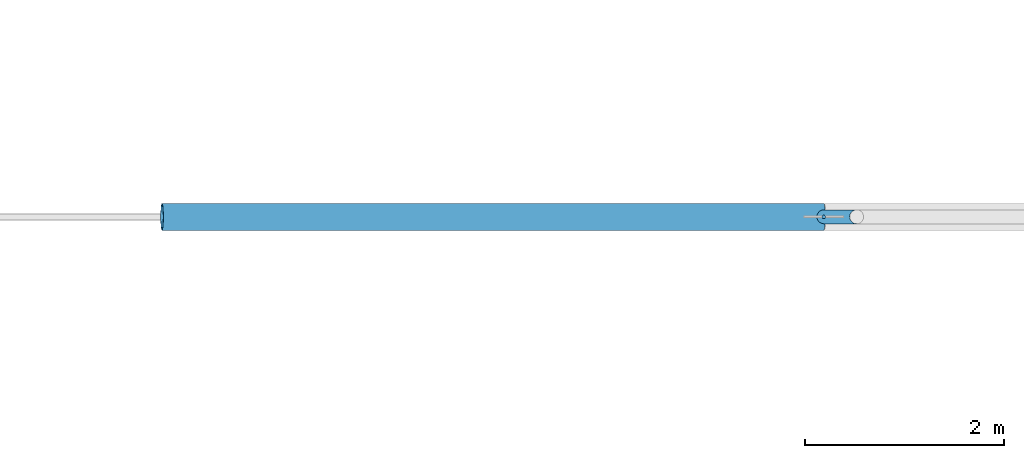
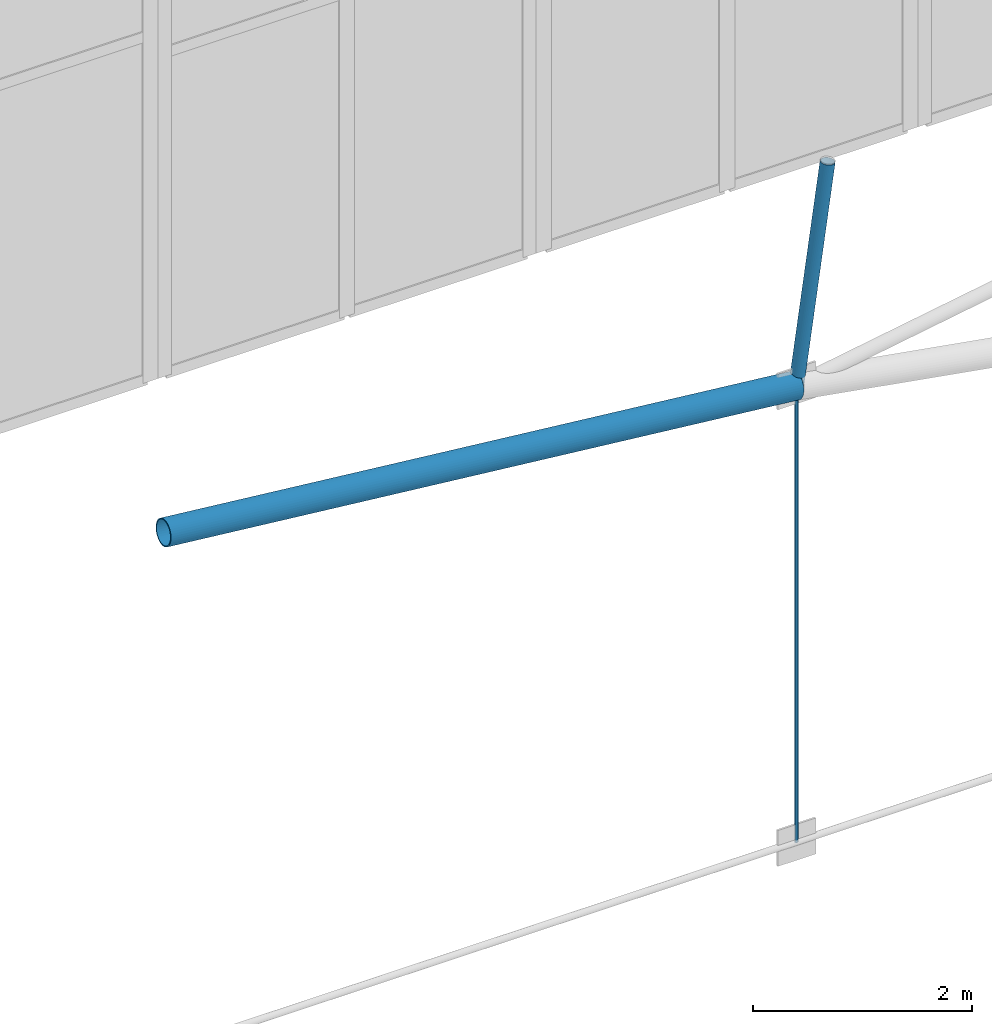
# One storey, part 192 of 321: 3 members.
"""IFC4 building model written with IfcOpenShell, lengths in metres."""

from ifc_helpers import new_model, si_unit, direction, frame, origin, origin_2d, place, context, subcontext, project, spatial, circle, hollow_circle, extrude, material, material_profile, profile_set, type_object, element, save


model = new_model("IFC4")

# Units and contexts
model_context = context("Model", 3, precision=1e-05, world=origin(), true_north=direction((0.0, 1.0)))
body_context = subcontext(model_context, "Body", "Model", "MODEL_VIEW")
ifc_project = project(units=[si_unit("LENGTHUNIT", "METRE"), si_unit("AREAUNIT", "SQUARE_METRE"), si_unit("VOLUMEUNIT", "CUBIC_METRE"), si_unit("PLANEANGLEUNIT", "RADIAN"), si_unit("MASSUNIT", "GRAM", prefix="KILO")], contexts=[model_context])

# Site, building, storey
site_placement = place(None, origin())
site = spatial("IfcSite", under=ifc_project, at=site_placement, CompositionType="ELEMENT")
building_placement = place(site_placement, origin())
building = spatial("IfcBuilding", under=site, at=building_placement, Name="Ravi Spectrum Wholesale Market", CompositionType="ELEMENT")
storey_placement = place(building_placement, frame((0.0, 0.0, 10.800048828125)))
storey = spatial("IfcBuildingStorey", under=building, at=storey_placement, Name="L02", CompositionType="ELEMENT", Elevation=10.800048828125)

# Members
ifc_material_1 = material(Name="Steel S355", Category="steel")
ifc_material_profile_1 = material_profile(ifc_material_1, hollow_circle(Radius=0.06982421875, WallThickness=0.0048828125, at=origin_2d()))
ifc_profile_set_1 = profile_set([ifc_material_profile_1], Name="Steel S355")
member_type_1 = type_object("IfcMemberType", Name="CHS 139.7x5 post", PredefinedType="POST", material=ifc_profile_set_1)
member_1_placement = place(storey_placement, frame((83.681884765625, 186.0, 7.479736328125), z_axis=(-0.137532332315, 0.0, -0.990497277921), x_axis=(0.0, -1.0, 0.0)))
element("IfcMember", 1, at=member_1_placement, inside=storey, type_object=member_type_1, Name="H1-MB-L02-1115", PredefinedType="POST", context=body_context, shape_type="SweptSolid", body=[
    extrude(hollow_circle(Radius=0.06982421875, WallThickness=0.0048828125, at=origin_2d()), origin(), (0.0, 0.0, 1.0), 2.39990234375),
])
ifc_material_2 = material(Name="Steel S355", Category="steel")
ifc_material_profile_2 = material_profile(ifc_material_2, hollow_circle(Radius=0.136474609375, WallThickness=0.010009765625, at=origin_2d()))
ifc_profile_set_2 = profile_set([ifc_material_profile_2], Name="Steel S355")
member_type_2 = type_object("IfcMemberType", Name="CHS 273x10 chord", PredefinedType="CHORD", material=ifc_profile_set_2)
member_2_placement = place(storey_placement, frame((76.69189453125, 186.0, 5.79443359375), z_axis=(0.994646786479, 0.0, -0.103333296414), x_axis=(0.0, 1.0, 0.0)))
element("IfcMember", 2, at=member_2_placement, inside=storey, type_object=member_type_2, Name="H1-MB-L02-1103", PredefinedType="CHORD", context=body_context, shape_type="SweptSolid", body=[
    extrude(hollow_circle(Radius=0.136474609375, WallThickness=0.010009765625, at=origin_2d()), origin(), (0.0, 0.0, 1.0), 6.69580078125),
])
ifc_material_3 = material(Name="Steel S355", Category="steel")
ifc_material_profile_3 = material_profile(ifc_material_3, circle(Radius=0.01806640625, at=origin_2d()))
ifc_profile_set_3 = profile_set([ifc_material_profile_3], Name="Steel S355")
member_type_3 = type_object("IfcMemberType", Name="ROD 36 hanger", PredefinedType="STRUT", material=ifc_profile_set_3)
member_3_placement = place(storey_placement, frame((83.351806640625, 186.0, 0.023193359375), z_axis=(0.0, 0.0, 1.0), x_axis=(1.0, 0.0, 0.0)))
element("IfcMember", 3, at=member_3_placement, inside=storey, type_object=member_type_3, Name="H1-MB-L02-1133", PredefinedType="STRUT", context=body_context, shape_type="SweptSolid", body=[
    extrude(circle(Radius=0.01806640625, at=origin_2d()), origin(), (0.0, 0.0, 1.0), 5.079345703125),
])

save(model, "model.ifc")
